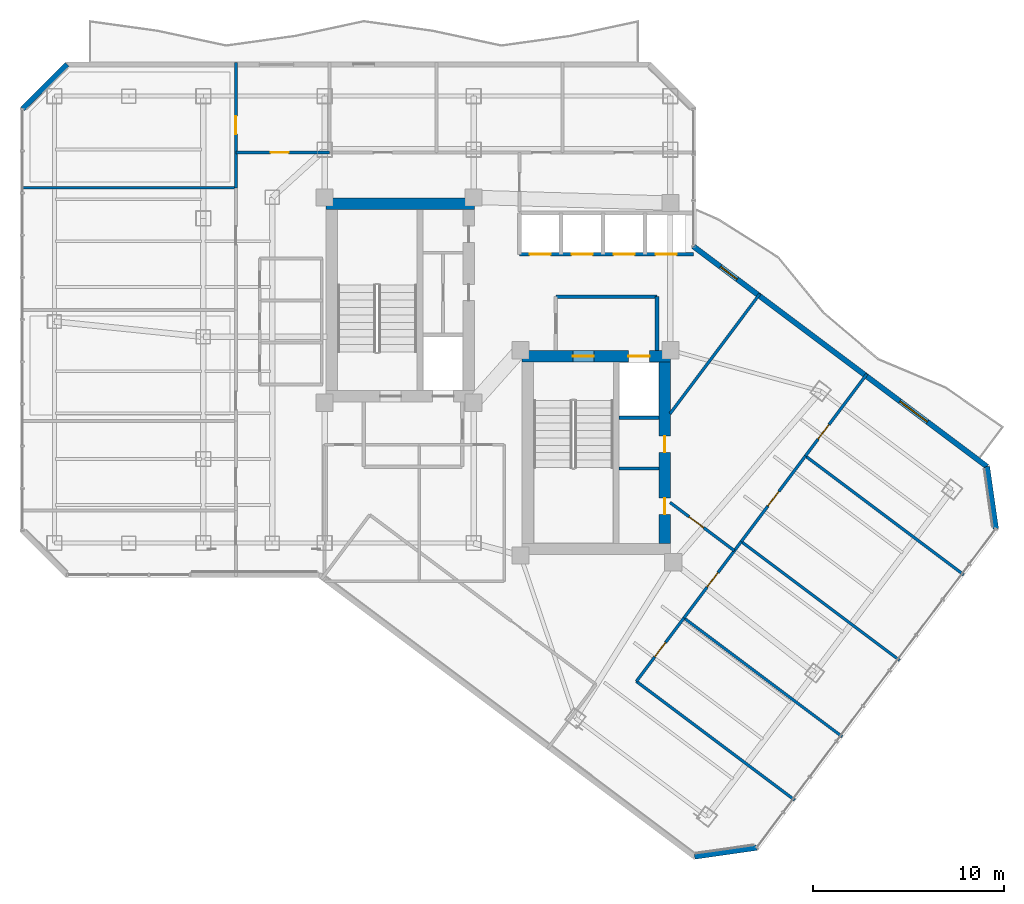
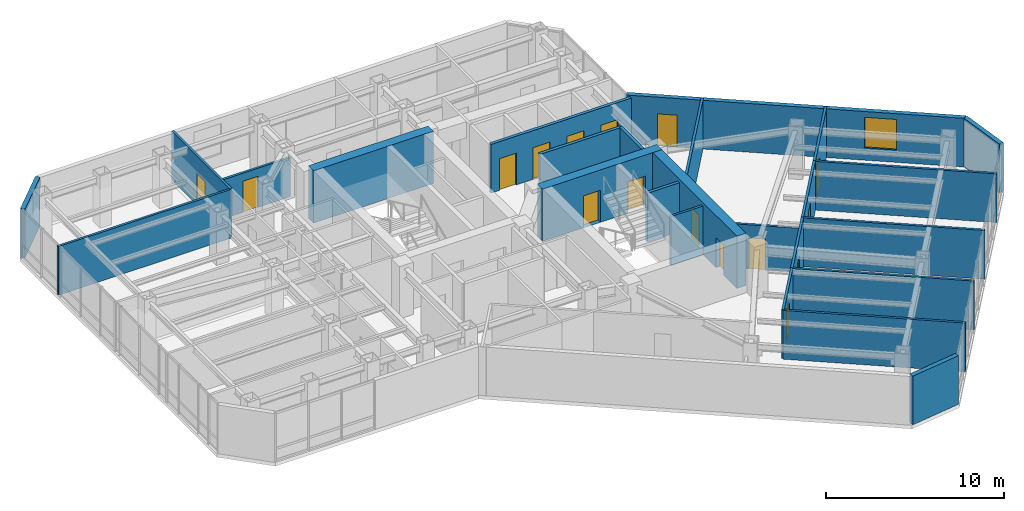
# One storey, part 23 of 27: 25 walls, 16 doors, 1 window, 17 openings.
"""IFC4 building model written with IfcOpenShell, lengths in metres."""

from ifc_helpers import new_model, si_unit, direction, frame, frame_2d, origin, place, context, subcontext, project, spatial, rectangle, extrude, material, layer, layer_set, type_object, element, fill, save


model = new_model("IFC4")

# Units and contexts
model_context = context("Model", 3, precision=1e-05, world=origin(), true_north=direction((0.0, 1.0)))
body_context = subcontext(model_context, "Body", "Model", "MODEL_VIEW")
ifc_project = project(units=[si_unit("LENGTHUNIT", "METRE"), si_unit("AREAUNIT", "SQUARE_METRE"), si_unit("VOLUMEUNIT", "CUBIC_METRE"), si_unit("PLANEANGLEUNIT", "RADIAN"), si_unit("MASSUNIT", "GRAM", prefix="KILO")], contexts=[model_context])

# Site, building, storey
site_placement = place(None, origin())
site = spatial("IfcSite", under=ifc_project, at=site_placement, CompositionType="ELEMENT")
building_placement = place(site_placement, origin())
building = spatial("IfcBuilding", under=site, at=building_placement, Name="Hatsunagi Terrace Concourse", CompositionType="ELEMENT")
storey_placement = place(building_placement, frame((0.0, 0.0, 163.64990234375)))
storey = spatial("IfcBuildingStorey", under=building, at=storey_placement, Name="L43", CompositionType="ELEMENT", Elevation=163.64990234375)

# Wall
ifc_material_1 = material(Name="Concrete Fc48", Category="concrete")
ifc_layer_1 = layer(ifc_material_1, 0.60009765625)
ifc_layer_set_1 = layer_set([ifc_layer_1], Name="CoreShearWall_Fc48_600")
wall_type_1 = type_object("IfcWallType", Name="CoreShearWall_Fc48_600", PredefinedType="SHEAR", material=ifc_layer_set_1)
wall_1_placement = place(storey_placement, frame((25.6201171875, 42.969970703125, 0.0), z_axis=(0.0, 0.0, 1.0), x_axis=(1.0, 0.0, 0.0)))
element("IfcWall", 1, at=wall_1_placement, inside=storey, type_object=wall_type_1, Name="Core A Shear Wall N L43", PredefinedType="SHEAR", context=body_context, shape_type="SweptSolid", body=[
    extrude(rectangle(XDim=7.77978515625, YDim=0.60009765625, at=frame_2d((3.889892578125, 0.0))), origin(), (0.0, 0.0, 1.0), 3.60009765625),
])

# Wall, openings, doors
wall_2_placement = place(storey_placement, frame((35.889892578125, 34.969970703125, 0.0), z_axis=(0.0, 0.0, 1.0), x_axis=(1.0, 0.0, 0.0)))
wall_2 = element("IfcWall", 2, at=wall_2_placement, inside=storey, type_object=wall_type_1, Name="Core B Shear Wall N L43", PredefinedType="SHEAR", context=body_context, shape_type="SweptSolid", body=[
    extrude(rectangle(XDim=7.760009765625, YDim=0.60009765625, at=frame_2d((3.8798828125, 0.0))), origin(), (0.0, 0.0, 1.0), 3.60009765625),
])
opening_1_placement = place(wall_2_placement, frame((2.659912109375, 0.0, 0.0)))
opening_1 = element("IfcOpeningElement", 3, at=opening_1_placement, cuts=wall_2, Name="Opening DR-110S", PredefinedType="OPENING", context=body_context, shape_type="SweptSolid", body=[
    extrude(rectangle(XDim=1.10009765625, YDim=2.199951171875, at=frame_2d((0.550048828125, 1.10009765625))), frame((0.0, 0.31005859375, 0.0), z_axis=(0.0, -1.0, 0.0), x_axis=(1.0, 0.0, 0.0)), (0.0, 0.0, 1.0), 0.6201171875),
])
opening_2_placement = place(wall_2_placement, frame((5.56005859375, 0.0, 0.0)))
opening_2 = element("IfcOpeningElement", 4, at=opening_2_placement, cuts=wall_2, Name="Opening LD-02", PredefinedType="OPENING", context=body_context, shape_type="SweptSolid", body=[
    extrude(rectangle(XDim=1.1201171875, YDim=2.14990234375, at=frame_2d((0.56005859375, 1.074951171875))), frame((0.0, 0.31005859375, 0.0), z_axis=(0.0, -1.0, 0.0), x_axis=(1.0, 0.0, 0.0)), (0.0, 0.0, 1.0), 0.6201171875),
])
ifc_material_2 = material(Name="Stainless steel", Category="steel")
door_type_1 = type_object("IfcDoorType", Name="LiftLandingDoor_LD02", OperationType="SLIDING_TO_RIGHT", PredefinedType="USERDEFINED", material=ifc_material_2)
door_1_placement = place(opening_2_placement, origin())
door_1 = element("IfcDoor", 5, at=door_1_placement, inside=storey, type_object=door_type_1, Name="Lift landing door FF-02 L43", ObjectType="SLIDING_LANDING_DOOR", OperationType="SLIDING_TO_RIGHT", OverallHeight=2.14990234375, OverallWidth=1.1201171875, PredefinedType="USERDEFINED", context=body_context, shape_type="SweptSolid", body=[
    extrude(rectangle(XDim=1.1201171875, YDim=2.14990234375, at=frame_2d((0.56005859375, 1.074951171875))), frame((0.0, 0.02490234375, 0.0), z_axis=(0.0, -1.0, 0.0), x_axis=(1.0, 0.0, 0.0)), (0.0, 0.0, 1.0), 0.050048828125),
])
fill(opening_2, door_1)
ifc_material_3 = material(Name="Painted steel", Category="steel")
door_type_2 = type_object("IfcDoorType", Name="StairFireDoor_EI60_1100", OperationType="NOTDEFINED", PredefinedType="DOOR", material=ifc_material_3)
door_2_placement = place(opening_1_placement, origin())
door_2 = element("IfcDoor", 6, at=door_2_placement, inside=storey, type_object=door_type_2, Name="Stair ST-B Exit Door L43", OperationType="SINGLE_SWING_RIGHT", OverallHeight=2.199951171875, OverallWidth=1.10009765625, PredefinedType="DOOR", context=body_context, shape_type="SweptSolid", body=[
    extrude(rectangle(XDim=1.10009765625, YDim=2.199951171875, at=frame_2d((0.550048828125, 1.10009765625))), frame((0.0, 0.02490234375, 0.0), z_axis=(0.0, -1.0, 0.0), x_axis=(1.0, 0.0, 0.0)), (0.0, 0.0, 1.0), 0.050048828125),
])
fill(opening_1, door_2)

wall_3_placement = place(storey_placement, frame((43.35009765625, 25.18994140625, 0.0), z_axis=(0.0, 0.0, 1.0), x_axis=(0.0, 1.0, 0.0)))
wall_3 = element("IfcWall", 7, at=wall_3_placement, inside=storey, type_object=wall_type_1, Name="Core B Shear Wall E L43", PredefinedType="SHEAR", context=body_context, shape_type="SweptSolid", body=[
    extrude(rectangle(XDim=9.47998046875, YDim=0.60009765625, at=frame_2d((4.739990234375, 0.0))), origin(), (0.0, 0.0, 1.0), 3.60009765625),
])
opening_3_placement = place(wall_3_placement, frame((1.510009765625, 0.0, 0.0)))
opening_3 = element("IfcOpeningElement", 8, at=opening_3_placement, cuts=wall_3, Name="Opening DR-085", PredefinedType="OPENING", context=body_context, shape_type="SweptSolid", body=[
    extrude(rectangle(XDim=0.85009765625, YDim=2.080078125, at=frame_2d((0.425048828125, 1.0400390625))), frame((0.0, 0.31005859375, 0.0), z_axis=(0.0, -1.0, 0.0), x_axis=(1.0, 0.0, 0.0)), (0.0, 0.0, 1.0), 0.6201171875),
])
opening_4_placement = place(wall_3_placement, frame((4.760009765625, 0.0, 0.0)))
opening_4 = element("IfcOpeningElement", 9, at=opening_4_placement, cuts=wall_3, Name="Opening DR-085", PredefinedType="OPENING", context=body_context, shape_type="SweptSolid", body=[
    extrude(rectangle(XDim=0.85009765625, YDim=2.080078125, at=frame_2d((0.425048828125, 1.0400390625))), frame((0.0, 0.31005859375, 0.0), z_axis=(0.0, -1.0, 0.0), x_axis=(1.0, 0.0, 0.0)), (0.0, 0.0, 1.0), 0.6201171875),
])
ifc_material_4 = material(Name="Painted steel", Category="steel")
door_type_3 = type_object("IfcDoorType", Name="RiserAccessDoor_EI60_850", OperationType="NOTDEFINED", PredefinedType="DOOR", material=ifc_material_4)
door_3_placement = place(opening_3_placement, origin())
door_3 = element("IfcDoor", 10, at=door_3_placement, inside=storey, type_object=door_type_3, Name="Core B Riser Door L43-1", OperationType="SINGLE_SWING_RIGHT", OverallHeight=2.080078125, OverallWidth=0.85009765625, PredefinedType="DOOR", context=body_context, shape_type="SweptSolid", body=[
    extrude(rectangle(XDim=0.85009765625, YDim=2.080078125, at=frame_2d((0.425048828125, 1.0400390625))), frame((0.0, 0.02490234375, 0.0), z_axis=(0.0, -1.0, 0.0), x_axis=(1.0, 0.0, 0.0)), (0.0, 0.0, 1.0), 0.050048828125),
])
fill(opening_3, door_3)
door_4_placement = place(opening_4_placement, origin())
door_4 = element("IfcDoor", 11, at=door_4_placement, inside=storey, type_object=door_type_3, Name="Core B Riser Door L43-2", OperationType="SINGLE_SWING_RIGHT", OverallHeight=2.080078125, OverallWidth=0.85009765625, PredefinedType="DOOR", context=body_context, shape_type="SweptSolid", body=[
    extrude(rectangle(XDim=0.85009765625, YDim=2.080078125, at=frame_2d((0.425048828125, 1.0400390625))), frame((0.0, 0.02490234375, 0.0), z_axis=(0.0, -1.0, 0.0), x_axis=(1.0, 0.0, 0.0)), (0.0, 0.0, 1.0), 0.050048828125),
])
fill(opening_4, door_4)

# Walls
ifc_material_5 = material(Name="Acoustic mineral board", Category="gypsum")
ifc_layer_2 = layer(ifc_material_5, 0.14990234375)
ifc_layer_set_2 = layer_set([ifc_layer_2], Name="PartitionWall_EI60_150")
wall_type_2 = type_object("IfcWallType", Name="PartitionWall_EI60_150", PredefinedType="PARTITIONING", material=ifc_layer_set_2)
wall_4_placement = place(storey_placement, frame((40.969970703125, 29.10009765625, 0.0), z_axis=(0.0, 0.0, 1.0), x_axis=(1.0, 0.0, 0.0)))
element("IfcWall", 12, at=wall_4_placement, inside=storey, type_object=wall_type_2, Name="Interior Partition IW-L43-005", PredefinedType="PARTITIONING", context=body_context, shape_type="SweptSolid", body=[
    extrude(rectangle(XDim=2.080078125, YDim=0.14990234375, at=frame_2d((1.0400390625, 0.0))), origin(), (0.0, 0.0, 1.0), 3.35009765625),
])
wall_5_placement = place(storey_placement, frame((9.639892578125, 43.800048828125, 0.0), z_axis=(0.0, 0.0, 1.0), x_axis=(1.0, 0.0, 0.0)))
element("IfcWall", 13, at=wall_5_placement, inside=storey, type_object=wall_type_2, Name="Interior Partition IW-L43-039", PredefinedType="PARTITIONING", context=body_context, shape_type="SweptSolid", body=[
    extrude(rectangle(XDim=11.260009765625, YDim=0.14990234375, at=frame_2d((5.6298828125, 0.0))), origin(), (0.0, 0.0, 1.0), 3.35009765625),
])

# Wall, opening, door
wall_6_placement = place(storey_placement, frame((20.89990234375, 43.800048828125, 0.0), z_axis=(0.0, 0.0, 1.0), x_axis=(0.0, 1.0, 0.0)))
wall_6 = element("IfcWall", 14, at=wall_6_placement, inside=storey, type_object=wall_type_2, Name="Interior Partition IW-L43-041", PredefinedType="PARTITIONING", context=body_context, shape_type="SweptSolid", body=[
    extrude(rectangle(XDim=6.56005859375, YDim=0.14990234375, at=frame_2d((3.280029296875, 0.0))), origin(), (0.0, 0.0, 1.0), 3.35009765625),
])
opening_5_placement = place(wall_6_placement, frame((2.804931640625, 0.0, 0.0)))
opening_5 = element("IfcOpeningElement", 15, at=opening_5_placement, cuts=wall_6, Name="Opening DR-095", PredefinedType="OPENING", context=body_context, shape_type="SweptSolid", body=[
    extrude(rectangle(XDim=0.949951171875, YDim=2.14990234375, at=frame_2d((0.47509765625, 1.074951171875))), frame((0.0, 0.0849609375, 0.0), z_axis=(0.0, -1.0, 0.0), x_axis=(1.0, 0.0, 0.0)), (0.0, 0.0, 1.0), 0.169921875),
])
ifc_material_6 = material(Name="Hardwood timber", Category="wood")
door_type_4 = type_object("IfcDoorType", Name="InteriorSuiteDoor_EI30_950", OperationType="NOTDEFINED", PredefinedType="DOOR", material=ifc_material_6)
door_5_placement = place(opening_5_placement, origin())
door_5 = element("IfcDoor", 16, at=door_5_placement, inside=storey, type_object=door_type_4, Name="Meeting Room L43-OW5 Door", OperationType="SINGLE_SWING_RIGHT", OverallHeight=2.14990234375, OverallWidth=0.949951171875, PredefinedType="DOOR", context=body_context, shape_type="SweptSolid", body=[
    extrude(rectangle(XDim=0.949951171875, YDim=2.14990234375, at=frame_2d((0.47509765625, 1.074951171875))), frame((0.0, 0.02490234375, 0.0), z_axis=(0.0, -1.0, 0.0), x_axis=(1.0, 0.0, 0.0)), (0.0, 0.0, 1.0), 0.050048828125),
])
fill(opening_5, door_5)

wall_7_placement = place(storey_placement, frame((20.89990234375, 45.64990234375, 0.0), z_axis=(0.0, 0.0, 1.0), x_axis=(1.0, 0.0, 0.0)))
wall_7 = element("IfcWall", 17, at=wall_7_placement, inside=storey, type_object=wall_type_2, Name="Interior Partition IW-L43-042", PredefinedType="PARTITIONING", context=body_context, shape_type="SweptSolid", body=[
    extrude(rectangle(XDim=4.900146484375, YDim=0.14990234375, at=frame_2d((2.4501953125, 0.0))), origin(), (0.0, 0.0, 1.0), 2.695068359375),
])
opening_6_placement = place(wall_7_placement, frame((1.81591796875, 0.0, 0.0)))
opening_6 = element("IfcOpeningElement", 18, at=opening_6_placement, cuts=wall_7, Name="Opening DR-095", PredefinedType="OPENING", context=body_context, shape_type="SweptSolid", body=[
    extrude(rectangle(XDim=0.949951171875, YDim=2.14990234375, at=frame_2d((0.47509765625, 1.074951171875))), frame((0.0, 0.0849609375, 0.0), z_axis=(0.0, -1.0, 0.0), x_axis=(1.0, 0.0, 0.0)), (0.0, 0.0, 1.0), 0.169921875),
])
door_6_placement = place(opening_6_placement, origin())
door_6 = element("IfcDoor", 19, at=door_6_placement, inside=storey, type_object=door_type_4, Name="Executive Briefing Room L43-ON1 Door", OperationType="SINGLE_SWING_LEFT", OverallHeight=2.14990234375, OverallWidth=0.949951171875, PredefinedType="DOOR", context=body_context, shape_type="SweptSolid", body=[
    extrude(rectangle(XDim=0.949951171875, YDim=2.14990234375, at=frame_2d((0.47509765625, 1.074951171875))), frame((0.0, 0.02490234375, 0.0), z_axis=(0.0, -1.0, 0.0), x_axis=(1.0, 0.0, 0.0)), (0.0, 0.0, 1.0), 0.050048828125),
])
fill(opening_6, door_6)

# Walls
for number, where, z_axis, x_axis, name in (
    (20, (41.8701171875, 17.9599609375, 0.0), (0.0, 0.0, 1.0), (0.799991516197, -0.600011311571, 0.0), "Interior Partition IW-L43-049"),
    (21, (44.360107421875, 21.280029296875, 0.0), (0.0, 0.0, 1.0), (0.799991516197, -0.600011311571, 0.0), "Interior Partition IW-L43-050"),
):
    element("IfcWall", number, at=place(storey_placement, frame(where, z_axis=z_axis, x_axis=x_axis)), inside=storey, type_object=wall_type_2, Name=name, PredefinedType="PARTITIONING", context=body_context, shape_type="SweptSolid", body=[
        extrude(rectangle(XDim=10.35986328125, YDim=0.14990234375, at=frame_2d((5.179931640625, 0.0))), origin(), (0.0, 0.0, 1.0), 3.35009765625),
    ])

# Wall, opening, door
wall_8_placement = place(storey_placement, frame((41.8701171875, 17.9599609375, 0.0), z_axis=(0.0, 0.0, 1.0), x_axis=(0.599990587419, 0.80000705935, 0.0)))
wall_8 = element("IfcWall", 22, at=wall_8_placement, inside=storey, type_object=wall_type_2, Name="Interior Partition IW-L43-051", PredefinedType="PARTITIONING", context=body_context, shape_type="SweptSolid", body=[
    extrude(rectangle(XDim=4.150146484375, YDim=0.14990234375, at=frame_2d((2.0751953125, 0.0))), origin(), (0.0, 0.0, 1.0), 3.35009765625),
])
opening_7_placement = place(wall_8_placement, frame((1.60009765625, 0.0, 0.0)))
opening_7 = element("IfcOpeningElement", 23, at=opening_7_placement, cuts=wall_8, Name="Opening DR-095", PredefinedType="OPENING", context=body_context, shape_type="SweptSolid", body=[
    extrude(rectangle(XDim=0.949951171875, YDim=2.14990234375, at=frame_2d((0.47509765625, 1.074951171875))), frame((0.0, 0.0849609375, 0.0), z_axis=(0.0, -1.0, 0.0), x_axis=(1.0, 0.0, 0.0)), (0.0, 0.0, 1.0), 0.169921875),
])
door_7_placement = place(opening_7_placement, origin())
door_7 = element("IfcDoor", 24, at=door_7_placement, inside=storey, type_object=door_type_4, Name="Focus Room L43-OSE1 Door", OperationType="SINGLE_SWING_RIGHT", OverallHeight=2.14990234375, OverallWidth=0.949951171875, PredefinedType="DOOR", context=body_context, shape_type="SweptSolid", body=[
    extrude(rectangle(XDim=0.949951171875, YDim=2.14990234375, at=frame_2d((0.47509765625, 1.074951171875))), frame((0.0, 0.02490234375, 0.0), z_axis=(0.0, -1.0, 0.0), x_axis=(1.0, 0.0, 0.0)), (0.0, 0.0, 1.0), 0.050048828125),
])
fill(opening_7, door_7)

# Wall
wall_9_placement = place(storey_placement, frame((47.360107421875, 25.280029296875, 0.0), z_axis=(0.0, 0.0, 1.0), x_axis=(0.799991516197, -0.600011311571, 0.0)))
element("IfcWall", 25, at=wall_9_placement, inside=storey, type_object=wall_type_2, Name="Interior Partition IW-L43-052", PredefinedType="PARTITIONING", context=body_context, shape_type="SweptSolid", body=[
    extrude(rectangle(XDim=10.35986328125, YDim=0.14990234375, at=frame_2d((5.179931640625, 0.0))), origin(), (0.0, 0.0, 1.0), 3.35009765625),
])

# Wall, opening, door
wall_10_placement = place(storey_placement, frame((44.360107421875, 21.280029296875, 0.0), z_axis=(0.0, 0.0, 1.0), x_axis=(0.6, 0.8, 0.0)))
wall_10 = element("IfcWall", 26, at=wall_10_placement, inside=storey, type_object=wall_type_2, Name="Interior Partition IW-L43-053", PredefinedType="PARTITIONING", context=body_context, shape_type="SweptSolid", body=[
    extrude(rectangle(XDim=5.0, YDim=0.14990234375, at=frame_2d((2.5, 0.0))), origin(), (0.0, 0.0, 1.0), 3.35009765625),
])
opening_8_placement = place(wall_10_placement, frame((2.02490234375, 0.0, 0.0)))
opening_8 = element("IfcOpeningElement", 27, at=opening_8_placement, cuts=wall_10, Name="Opening DR-095", PredefinedType="OPENING", context=body_context, shape_type="SweptSolid", body=[
    extrude(rectangle(XDim=0.949951171875, YDim=2.14990234375, at=frame_2d((0.47509765625, 1.074951171875))), frame((0.0, 0.0849609375, 0.0), z_axis=(0.0, -1.0, 0.0), x_axis=(1.0, 0.0, 0.0)), (0.0, 0.0, 1.0), 0.169921875),
])
door_8_placement = place(opening_8_placement, origin())
door_8 = element("IfcDoor", 28, at=door_8_placement, inside=storey, type_object=door_type_4, Name="Executive Office L43-OSE2 Door", OperationType="SINGLE_SWING_RIGHT", OverallHeight=2.14990234375, OverallWidth=0.949951171875, PredefinedType="DOOR", context=body_context, shape_type="SweptSolid", body=[
    extrude(rectangle(XDim=0.949951171875, YDim=2.14990234375, at=frame_2d((0.47509765625, 1.074951171875))), frame((0.0, 0.02490234375, 0.0), z_axis=(0.0, -1.0, 0.0), x_axis=(1.0, 0.0, 0.0)), (0.0, 0.0, 1.0), 0.050048828125),
])
fill(opening_8, door_8)

# Wall
wall_11_placement = place(storey_placement, frame((50.719970703125, 29.760009765625, 0.0), z_axis=(0.0, 0.0, 1.0), x_axis=(0.8, -0.6, 0.0)))
element("IfcWall", 29, at=wall_11_placement, inside=storey, type_object=wall_type_2, Name="Interior Partition IW-L43-054", PredefinedType="PARTITIONING", context=body_context, shape_type="SweptSolid", body=[
    extrude(rectangle(XDim=10.360107421875, YDim=0.14990234375, at=frame_2d((5.18017578125, 0.0))), origin(), (0.0, 0.0, 1.0), 3.35009765625),
])

# Wall, opening, door
wall_12_placement = place(storey_placement, frame((47.360107421875, 25.280029296875, 0.0), z_axis=(0.0, 0.0, 1.0), x_axis=(0.599986048773, 0.80001046323, 0.0)))
wall_12 = element("IfcWall", 30, at=wall_12_placement, inside=storey, type_object=wall_type_2, Name="Interior Partition IW-L43-055", PredefinedType="PARTITIONING", context=body_context, shape_type="SweptSolid", body=[
    extrude(rectangle(XDim=5.599853515625, YDim=0.14990234375, at=frame_2d((2.7998046875, 0.0))), origin(), (0.0, 0.0, 1.0), 3.35009765625),
])
opening_9_placement = place(wall_12_placement, frame((2.324951171875, 0.0, 0.0)))
opening_9 = element("IfcOpeningElement", 31, at=opening_9_placement, cuts=wall_12, Name="Opening DR-095", PredefinedType="OPENING", context=body_context, shape_type="SweptSolid", body=[
    extrude(rectangle(XDim=0.949951171875, YDim=2.14990234375, at=frame_2d((0.47509765625, 1.074951171875))), frame((0.0, 0.0849609375, 0.0), z_axis=(0.0, -1.0, 0.0), x_axis=(1.0, 0.0, 0.0)), (0.0, 0.0, 1.0), 0.169921875),
])
door_9_placement = place(opening_9_placement, origin())
door_9 = element("IfcDoor", 32, at=door_9_placement, inside=storey, type_object=door_type_4, Name="Meeting Room L43-OSE3 Door", OperationType="SINGLE_SWING_RIGHT", OverallHeight=2.14990234375, OverallWidth=0.949951171875, PredefinedType="DOOR", context=body_context, shape_type="SweptSolid", body=[
    extrude(rectangle(XDim=0.949951171875, YDim=2.14990234375, at=frame_2d((0.47509765625, 1.074951171875))), frame((0.0, 0.02490234375, 0.0), z_axis=(0.0, -1.0, 0.0), x_axis=(1.0, 0.0, 0.0)), (0.0, 0.0, 1.0), 0.050048828125),
])
fill(opening_9, door_9)

wall_13_placement = place(storey_placement, frame((50.719970703125, 29.760009765625, 0.0), z_axis=(0.0, 0.0, 1.0), x_axis=(0.6, 0.8, 0.0)))
wall_13 = element("IfcWall", 33, at=wall_13_placement, inside=storey, type_object=wall_type_2, Name="Interior Partition IW-L43-056", PredefinedType="PARTITIONING", context=body_context, shape_type="SweptSolid", body=[
    extrude(rectangle(XDim=5.360107421875, YDim=0.14990234375, at=frame_2d((2.68017578125, 0.0))), origin(), (0.0, 0.0, 1.0), 3.35009765625),
])
opening_10_placement = place(wall_13_placement, frame((1.110107421875, 0.0, 0.0)))
opening_10 = element("IfcOpeningElement", 34, at=opening_10_placement, cuts=wall_13, Name="Opening DR-095", PredefinedType="OPENING", context=body_context, shape_type="SweptSolid", body=[
    extrude(rectangle(XDim=0.949951171875, YDim=2.14990234375, at=frame_2d((0.47509765625, 1.074951171875))), frame((0.0, 0.0849609375, 0.0), z_axis=(0.0, -1.0, 0.0), x_axis=(1.0, 0.0, 0.0)), (0.0, 0.0, 1.0), 0.169921875),
])
door_10_placement = place(opening_10_placement, origin())
door_10 = element("IfcDoor", 35, at=door_10_placement, inside=storey, type_object=door_type_4, Name="Design Studio L43-OSE4 Door", OperationType="SINGLE_SWING_RIGHT", OverallHeight=2.14990234375, OverallWidth=0.949951171875, PredefinedType="DOOR", context=body_context, shape_type="SweptSolid", body=[
    extrude(rectangle(XDim=0.949951171875, YDim=2.14990234375, at=frame_2d((0.47509765625, 1.074951171875))), frame((0.0, 0.02490234375, 0.0), z_axis=(0.0, -1.0, 0.0), x_axis=(1.0, 0.0, 0.0)), (0.0, 0.0, 1.0), 0.050048828125),
])
fill(opening_10, door_10)

wall_14_placement = place(storey_placement, frame((43.6298828125, 27.327880859375, 0.0), z_axis=(0.0, 0.0, 1.0), x_axis=(0.799972182084, -0.600037088764, 0.0)))
wall_14 = element("IfcWall", 36, at=wall_14_placement, inside=storey, type_object=wall_type_2, Name="Interior Partition IW-L43-057", PredefinedType="PARTITIONING", context=body_context, shape_type="SweptSolid", body=[
    extrude(rectangle(XDim=4.212890625, YDim=0.14990234375, at=frame_2d((2.1064453125, 0.0))), origin(), (0.0, 0.0, 1.0), 3.045166015625),
])
opening_11_placement = place(wall_14_placement, frame((1.256103515625, 0.0, 0.0)))
opening_11 = element("IfcOpeningElement", 37, at=opening_11_placement, cuts=wall_14, Name="Opening DR-095", PredefinedType="OPENING", context=body_context, shape_type="SweptSolid", body=[
    extrude(rectangle(XDim=0.949951171875, YDim=2.14990234375, at=frame_2d((0.47509765625, 1.074951171875))), frame((0.0, 0.0849609375, 0.0), z_axis=(0.0, -1.0, 0.0), x_axis=(1.0, 0.0, 0.0)), (0.0, 0.0, 1.0), 0.169921875),
])
door_11_placement = place(opening_11_placement, origin())
door_11 = element("IfcDoor", 38, at=door_11_placement, inside=storey, type_object=door_type_4, Name="Collaboration Lounge L43-OSEN0 Door", OperationType="SINGLE_SWING_LEFT", OverallHeight=2.14990234375, OverallWidth=0.949951171875, PredefinedType="DOOR", context=body_context, shape_type="SweptSolid", body=[
    extrude(rectangle(XDim=0.949951171875, YDim=2.14990234375, at=frame_2d((0.47509765625, 1.074951171875))), frame((0.0, 0.02490234375, 0.0), z_axis=(0.0, -1.0, 0.0), x_axis=(1.0, 0.0, 0.0)), (0.0, 0.0, 1.0), 0.050048828125),
])
fill(opening_11, door_11)

# Walls
wall_15_placement = place(storey_placement, frame((43.6298828125, 31.972900390625, 0.0), z_axis=(0.0, 0.0, 1.0), x_axis=(0.599975099311, 0.800018674911, 0.0)))
element("IfcWall", 39, at=wall_15_placement, inside=storey, type_object=wall_type_2, Name="Interior Partition IW-L43-058", PredefinedType="PARTITIONING", context=body_context, shape_type="SweptSolid", body=[
    extrude(rectangle(XDim=7.84375, YDim=0.14990234375, at=frame_2d((3.921875, 0.0))), origin(), (0.0, 0.0, 1.0), 3.35009765625),
])
ifc_material_7 = material(Name="Acoustic mineral board", Category="gypsum")
ifc_layer_3 = layer(ifc_material_7, 0.199951171875)
ifc_layer_set_3 = layer_set([ifc_layer_3], Name="ShaftWall_EI120_200")
wall_type_3 = type_object("IfcWallType", Name="ShaftWall_EI120_200", PredefinedType="STANDARD", material=ifc_layer_set_3)
wall_16_placement = place(storey_placement, frame((40.969970703125, 31.760009765625, 0.0), z_axis=(0.0, 0.0, 1.0), x_axis=(1.0, 0.0, 0.0)))
element("IfcWall", 40, at=wall_16_placement, inside=storey, type_object=wall_type_3, Name="Interior Partition IW-L43-004", PredefinedType="STANDARD", context=body_context, shape_type="SweptSolid", body=[
    extrude(rectangle(XDim=2.080078125, YDim=0.199951171875, at=frame_2d((1.0400390625, 0.0))), origin(), (0.0, 0.0, 1.0), 3.35009765625),
])
wall_17_placement = place(storey_placement, frame((37.64990234375, 38.10009765625, 0.0), z_axis=(0.0, 0.0, 1.0), x_axis=(1.0, 0.0, 0.0)))
element("IfcWall", 41, at=wall_17_placement, inside=storey, type_object=wall_type_3, Name="Interior Partition IW-L43-009", PredefinedType="STANDARD", context=body_context, shape_type="SweptSolid", body=[
    extrude(rectangle(XDim=5.300048828125, YDim=0.199951171875, at=frame_2d((2.64990234375, 0.0))), origin(), (0.0, 0.0, 1.0), 3.35009765625),
])
wall_18_placement = place(storey_placement, frame((42.949951171875, 35.27001953125, 0.0), z_axis=(0.0, 0.0, 1.0), x_axis=(0.0, 1.0, 0.0)))
element("IfcWall", 42, at=wall_18_placement, inside=storey, type_object=wall_type_3, Name="Interior Partition IW-L43-010", PredefinedType="STANDARD", context=body_context, shape_type="SweptSolid", body=[
    extrude(rectangle(XDim=2.830078125, YDim=0.199951171875, at=frame_2d((1.4150390625, 0.0))), origin(), (0.0, 0.0, 1.0), 3.35009765625),
])

# Wall, openings, doors
wall_19_placement = place(storey_placement, frame((35.75, 40.320068359375, 0.0), z_axis=(0.0, 0.0, 1.0), x_axis=(1.0, 0.0, 0.0)))
wall_19 = element("IfcWall", 43, at=wall_19_placement, inside=storey, type_object=wall_type_3, Name="Interior Partition IW-L43-017", PredefinedType="STANDARD", context=body_context, shape_type="SweptSolid", body=[
    extrude(rectangle(XDim=9.110107421875, YDim=0.199951171875, at=frame_2d((4.55517578125, 0.0))), origin(), (0.0, 0.0, 1.0), 3.35009765625),
])
opening_12_placement = place(wall_19_placement, frame((0.530029296875, 0.0, 0.0)))
opening_12 = element("IfcOpeningElement", 44, at=opening_12_placement, cuts=wall_19, Name="Opening LD-04", PredefinedType="OPENING", context=body_context, shape_type="SweptSolid", body=[
    extrude(rectangle(XDim=1.10009765625, YDim=2.179931640625, at=frame_2d((0.550048828125, 1.08984375))), frame((0.0, 0.10986328125, 0.0), z_axis=(0.0, -1.0, 0.0), x_axis=(1.0, 0.0, 0.0)), (0.0, 0.0, 1.0), 0.219970703125),
])
opening_13_placement = place(wall_19_placement, frame((2.72998046875, 0.0, 0.0)))
opening_13 = element("IfcOpeningElement", 45, at=opening_13_placement, cuts=wall_19, Name="Opening LD-04", PredefinedType="OPENING", context=body_context, shape_type="SweptSolid", body=[
    extrude(rectangle(XDim=1.10009765625, YDim=2.179931640625, at=frame_2d((0.550048828125, 1.08984375))), frame((0.0, 0.10986328125, 0.0), z_axis=(0.0, -1.0, 0.0), x_axis=(1.0, 0.0, 0.0)), (0.0, 0.0, 1.0), 0.219970703125),
])
opening_14_placement = place(wall_19_placement, frame((4.929931640625, 0.0, 0.0)))
opening_14 = element("IfcOpeningElement", 46, at=opening_14_placement, cuts=wall_19, Name="Opening LD-04", PredefinedType="OPENING", context=body_context, shape_type="SweptSolid", body=[
    extrude(rectangle(XDim=1.10009765625, YDim=2.179931640625, at=frame_2d((0.550048828125, 1.08984375))), frame((0.0, 0.10986328125, 0.0), z_axis=(0.0, -1.0, 0.0), x_axis=(1.0, 0.0, 0.0)), (0.0, 0.0, 1.0), 0.219970703125),
])
opening_15_placement = place(wall_19_placement, frame((7.1298828125, 0.0, 0.0)))
opening_15 = element("IfcOpeningElement", 47, at=opening_15_placement, cuts=wall_19, Name="Opening LD-04", PredefinedType="OPENING", context=body_context, shape_type="SweptSolid", body=[
    extrude(rectangle(XDim=1.10009765625, YDim=2.179931640625, at=frame_2d((0.550048828125, 1.08984375))), frame((0.0, 0.10986328125, 0.0), z_axis=(0.0, -1.0, 0.0), x_axis=(1.0, 0.0, 0.0)), (0.0, 0.0, 1.0), 0.219970703125),
])
ifc_material_8 = material(Name="Stainless steel", Category="steel")
door_type_5 = type_object("IfcDoorType", Name="LiftLandingDoor_LD04", OperationType="SLIDING_TO_RIGHT", PredefinedType="USERDEFINED", material=ifc_material_8)
door_12_placement = place(opening_12_placement, origin())
door_12 = element("IfcDoor", 48, at=door_12_placement, inside=storey, type_object=door_type_5, Name="Lift landing door PL-05 L43", ObjectType="SLIDING_LANDING_DOOR", OperationType="SLIDING_TO_RIGHT", OverallHeight=2.179931640625, OverallWidth=1.10009765625, PredefinedType="USERDEFINED", context=body_context, shape_type="SweptSolid", body=[
    extrude(rectangle(XDim=1.10009765625, YDim=2.179931640625, at=frame_2d((0.550048828125, 1.08984375))), frame((0.0, 0.02490234375, 0.0), z_axis=(0.0, -1.0, 0.0), x_axis=(1.0, 0.0, 0.0)), (0.0, 0.0, 1.0), 0.050048828125),
])
fill(opening_12, door_12)
door_13_placement = place(opening_13_placement, origin())
door_13 = element("IfcDoor", 49, at=door_13_placement, inside=storey, type_object=door_type_5, Name="Lift landing door PL-06 L43", ObjectType="SLIDING_LANDING_DOOR", OperationType="SLIDING_TO_RIGHT", OverallHeight=2.179931640625, OverallWidth=1.10009765625, PredefinedType="USERDEFINED", context=body_context, shape_type="SweptSolid", body=[
    extrude(rectangle(XDim=1.10009765625, YDim=2.179931640625, at=frame_2d((0.550048828125, 1.08984375))), frame((0.0, 0.02490234375, 0.0), z_axis=(0.0, -1.0, 0.0), x_axis=(1.0, 0.0, 0.0)), (0.0, 0.0, 1.0), 0.050048828125),
])
fill(opening_13, door_13)
door_14_placement = place(opening_14_placement, origin())
door_14 = element("IfcDoor", 50, at=door_14_placement, inside=storey, type_object=door_type_5, Name="Lift landing door PL-07 L43", ObjectType="SLIDING_LANDING_DOOR", OperationType="SLIDING_TO_RIGHT", OverallHeight=2.179931640625, OverallWidth=1.10009765625, PredefinedType="USERDEFINED", context=body_context, shape_type="SweptSolid", body=[
    extrude(rectangle(XDim=1.10009765625, YDim=2.179931640625, at=frame_2d((0.550048828125, 1.08984375))), frame((0.0, 0.02490234375, 0.0), z_axis=(0.0, -1.0, 0.0), x_axis=(1.0, 0.0, 0.0)), (0.0, 0.0, 1.0), 0.050048828125),
])
fill(opening_14, door_14)
door_15_placement = place(opening_15_placement, origin())
door_15 = element("IfcDoor", 51, at=door_15_placement, inside=storey, type_object=door_type_5, Name="Lift landing door PL-08 L43", ObjectType="SLIDING_LANDING_DOOR", OperationType="SLIDING_TO_RIGHT", OverallHeight=2.179931640625, OverallWidth=1.10009765625, PredefinedType="USERDEFINED", context=body_context, shape_type="SweptSolid", body=[
    extrude(rectangle(XDim=1.10009765625, YDim=2.179931640625, at=frame_2d((0.550048828125, 1.08984375))), frame((0.0, 0.02490234375, 0.0), z_axis=(0.0, -1.0, 0.0), x_axis=(1.0, 0.0, 0.0)), (0.0, 0.0, 1.0), 0.050048828125),
])
fill(opening_15, door_15)

# Wall, openings, door, window
ifc_material_9 = material(Name="Autoclaved Lightweight Concrete and Terracotta Cladding", Category="masonry")
ifc_layer_4 = layer(ifc_material_9, 0.280029296875)
ifc_layer_set_4 = layer_set([ifc_layer_4], Name="TerracottaSpandrelWall_280")
wall_type_4 = type_object("IfcWallType", Name="TerracottaSpandrelWall_280", PredefinedType="STANDARD", material=ifc_layer_set_4)
wall_20_placement = place(storey_placement, frame((44.860107421875, 40.72998046875, 0.0), z_axis=(0.0, 0.0, 1.0), x_axis=(0.800007624502, -0.599989833863, 0.0)))
wall_20 = element("IfcWall", 52, at=wall_20_placement, inside=storey, type_object=wall_type_4, Name="Exterior Spandrel Wall EW-L43-01", PredefinedType="STANDARD", context=body_context, shape_type="SweptSolid", body=[
    extrude(rectangle(XDim=19.212158203125, YDim=0.280029296875, at=frame_2d((9.60595703125, 0.0))), origin(), (0.0, 0.0, 1.0), 3.35009765625),
])
opening_16_placement = place(wall_20_placement, frame((1.7548828125, 0.0, 0.0)))
opening_16 = element("IfcOpeningElement", 53, at=opening_16_placement, cuts=wall_20, Name="Opening BD-01", PredefinedType="OPENING", context=body_context, shape_type="SweptSolid", body=[
    extrude(rectangle(XDim=1.10009765625, YDim=2.199951171875, at=frame_2d((0.550048828125, 1.10009765625))), frame((0.0, 0.14990234375, 0.0), z_axis=(0.0, -1.0, 0.0), x_axis=(1.0, 0.0, 0.0)), (0.0, 0.0, 1.0), 0.300048828125),
])
opening_17_placement = place(wall_20_placement, frame((13.509033203125, 0.0, 0.85009765625)))
opening_17 = element("IfcOpeningElement", 54, at=opening_17_placement, cuts=wall_20, Name="Opening WIN-03", PredefinedType="OPENING", context=body_context, shape_type="SweptSolid", body=[
    extrude(rectangle(XDim=1.800048828125, YDim=2.10009765625, at=frame_2d((0.89990234375, 1.050048828125))), frame((0.0, 0.14990234375, 0.0), z_axis=(0.0, -1.0, 0.0), x_axis=(1.0, 0.0, 0.0)), (0.0, 0.0, 1.0), 0.300048828125),
])
ifc_material_10 = material(Name="Galvanised Steel and Laminated Safety Glass", Category="steel")
door_type_6 = type_object("IfcDoorType", Name="BalconyTerraceAccessDoor_1100x2200", OperationType="SINGLE_SWING_LEFT", PredefinedType="DOOR", material=ifc_material_10)
door_16_placement = place(opening_16_placement, origin())
door_16 = element("IfcDoor", 55, at=door_16_placement, inside=storey, type_object=door_type_6, Name="Engawa Balcony Door L43-BSE", OperationType="SINGLE_SWING_LEFT", OverallHeight=2.199951171875, OverallWidth=1.10009765625, PredefinedType="DOOR", context=body_context, shape_type="SweptSolid", body=[
    extrude(rectangle(XDim=1.10009765625, YDim=2.199951171875, at=frame_2d((0.550048828125, 1.10009765625))), frame((0.0, 0.02490234375, 0.0), z_axis=(0.0, -1.0, 0.0), x_axis=(1.0, 0.0, 0.0)), (0.0, 0.0, 1.0), 0.050048828125),
])
fill(opening_16, door_16)
ifc_material_11 = material(Name="Thermally Broken Aluminium and Low-E Triple Glazing", Category="aluminium")
window_type = type_object("IfcWindowType", Name="OfficeCornerFeatureWindow_1800x2100", PartitioningType="SINGLE_PANEL", PredefinedType="WINDOW", material=ifc_material_11)
window_placement = place(opening_17_placement, origin())
window = element("IfcWindow", 56, at=window_placement, inside=storey, type_object=window_type, Name="Balcony Daylighting Window L43-01-2", OverallHeight=2.10009765625, OverallWidth=1.800048828125, PartitioningType="SINGLE_PANEL", PredefinedType="WINDOW", context=body_context, shape_type="SweptSolid", body=[
    extrude(rectangle(XDim=1.800048828125, YDim=2.10009765625, at=frame_2d((0.89990234375, 1.050048828125))), frame((0.0, 0.030029296875, 0.0), z_axis=(0.0, -1.0, 0.0), x_axis=(1.0, 0.0, 0.0)), (0.0, 0.0, 1.0), 0.06005859375),
])
fill(opening_17, window)

# Walls
wall_21_placement = place(storey_placement, frame((60.22998046875, 29.202880859375, 0.0), z_axis=(0.0, 0.0, 1.0), x_axis=(0.141296221922, -0.989967361922, 0.0)))
element("IfcWall", 57, at=wall_21_placement, inside=storey, type_object=wall_type_4, Name="Exterior Spandrel Wall EW-L43-02", PredefinedType="STANDARD", context=body_context, shape_type="SweptSolid", body=[
    extrude(rectangle(XDim=3.27783203125, YDim=0.280029296875, at=frame_2d((1.638916015625, 0.0))), origin(), (0.0, 0.0, 1.0), 3.35009765625),
])
wall_22_placement = place(storey_placement, frame((48.1630859375, 9.25, 0.0), z_axis=(0.0, 0.0, 1.0), x_axis=(-0.989979263428, -0.141212810973, 0.0)))
element("IfcWall", 58, at=wall_22_placement, inside=storey, type_object=wall_type_4, Name="Exterior Spandrel Wall EW-L43-04", PredefinedType="STANDARD", context=body_context, shape_type="SweptSolid", body=[
    extrude(rectangle(XDim=3.278076171875, YDim=0.280029296875, at=frame_2d((1.63916015625, 0.0))), origin(), (0.0, 0.0, 1.0), 3.35009765625),
])
wall_23_placement = place(storey_placement, frame((9.739990234375, 47.94189453125, 0.0), z_axis=(0.0, 0.0, 1.0), x_axis=(0.707106781187, 0.707106781187, 0.0)))
element("IfcWall", 59, at=wall_23_placement, inside=storey, type_object=wall_type_4, Name="Exterior Spandrel Wall EW-L43-10", PredefinedType="STANDARD", context=body_context, shape_type="SweptSolid", body=[
    extrude(rectangle(XDim=3.2783203125, YDim=0.280029296875, at=frame_2d((1.63916015625, 0.0))), origin(), (0.0, 0.0, 1.0), 3.35009765625),
])

save(model, "model.ifc")
